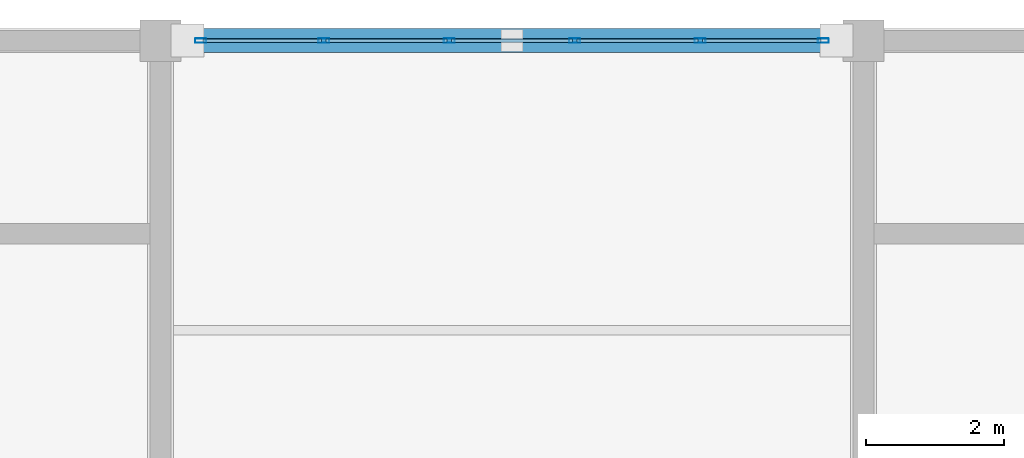
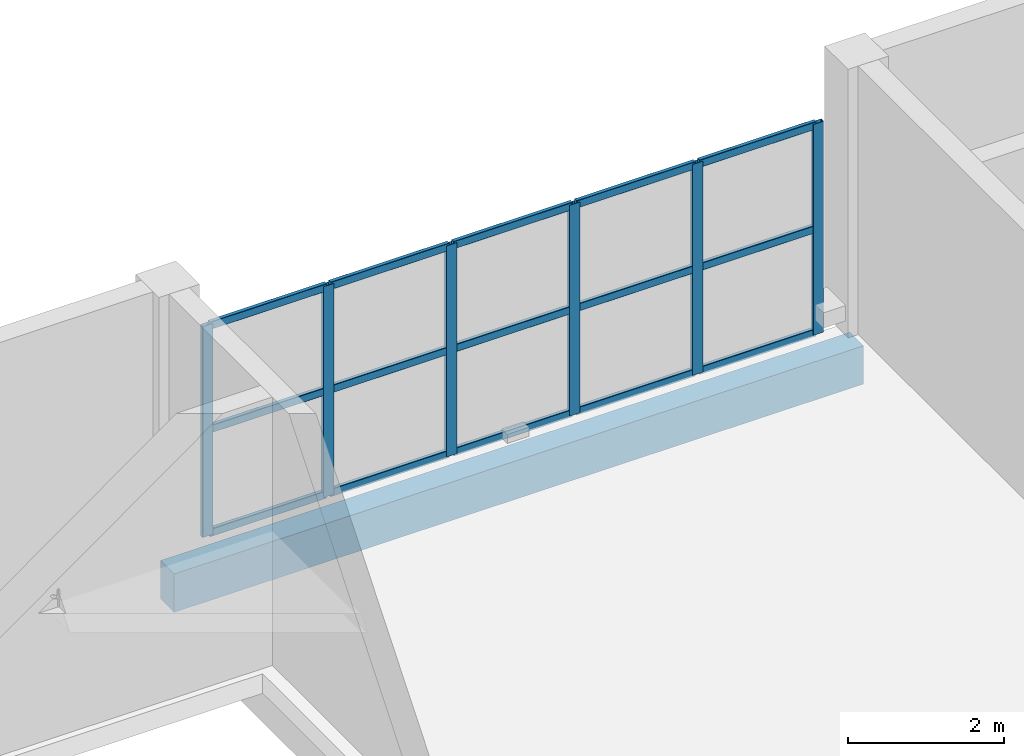
# One storey, part 11 of 24: 21 members, 1 beam, 1 element without a shape of its own.
"""IFC4 building model written with IfcOpenShell, lengths in metres."""

from ifc_helpers import new_model, si_unit, direction, frame, origin, origin_2d, place, context, subcontext, project, spatial, rectangle, hollow_rectangle, extrude, material, material_profile, profile_set, type_object, element, aggregate, save


model = new_model("IFC4")

# Units and contexts
model_context = context("Model", 3, precision=1e-05, world=origin(), true_north=direction((0.0, 1.0)))
body_context = subcontext(model_context, "Body", "Model", "MODEL_VIEW")
ifc_project = project(units=[si_unit("LENGTHUNIT", "METRE"), si_unit("AREAUNIT", "SQUARE_METRE"), si_unit("VOLUMEUNIT", "CUBIC_METRE"), si_unit("PLANEANGLEUNIT", "RADIAN"), si_unit("MASSUNIT", "GRAM", prefix="KILO")], contexts=[model_context])

# Site, building, storey
site_placement = place(None, origin())
site = spatial("IfcSite", under=ifc_project, at=site_placement, CompositionType="ELEMENT")
building_placement = place(site_placement, origin())
building = spatial("IfcBuilding", under=site, at=building_placement, Name="Brelvane Convention Centre", CompositionType="ELEMENT")
storey_placement = place(building_placement, frame((0.0, 0.0, 19.199951171875)))
storey = spatial("IfcBuildingStorey", under=building, at=storey_placement, Name="L04", CompositionType="ELEMENT", Elevation=19.199951171875)

# Curtain wall, members
ifc_material_1 = material(Name="Anodised Aluminium Alloy 6063-T6", Category="aluminium")
curtain_wall_type = type_object("IfcCurtainWallType", Name="Curtain Wall CW-BOUL", PredefinedType="USERDEFINED", material=ifc_material_1)
curtain_wall_placement = place(storey_placement, origin())
curtain_wall = element("IfcCurtainWall", 1, at=curtain_wall_placement, inside=storey, type_object=curtain_wall_type, Name="Curtain Wall CW-BOUL L04-V4N-02", ObjectType="UNITISED", PredefinedType="USERDEFINED")
ifc_material_2 = material(Name="Anodised Aluminium Alloy 6063-T6", Category="aluminium")
ifc_material_profile_1 = material_profile(ifc_material_2, hollow_rectangle(XDim=0.06494140625, YDim=0.159912109375, WallThickness=0.00390625, InnerFilletRadius=0.00390625, OuterFilletRadius=0.008056640625, at=origin_2d()), Name="ALU-M 160x65x4.0")
ifc_profile_set_1 = profile_set([ifc_material_profile_1], Name="Anodised Aluminium Alloy 6063-T6")
member_type_1 = type_object("IfcMemberType", Name="Curtain Mullion CW-M3", PredefinedType="MULLION", material=ifc_profile_set_1)
member_1_placement = place(storey_placement, frame((10.782470703125, 144.0, 0.0), z_axis=(0.0, 0.0, 1.0), x_axis=(0.0, 1.0, 0.0)))
member_1 = element("IfcMember", 2, at=member_1_placement, type_object=member_type_1, Name="CW-BOUL mullion 1", PredefinedType="MULLION", context=body_context, shape_type="SweptSolid", body=[
    extrude(hollow_rectangle(XDim=0.06494140625, YDim=0.159912109375, WallThickness=0.00390625, InnerFilletRadius=0.00390625, OuterFilletRadius=0.008056640625, at=origin_2d()), origin(), (0.0, 0.0, 1.0), 3.300048828125),
])
member_2_placement = place(storey_placement, frame((12.570068359375, 144.0, 0.0), z_axis=(0.0, 0.0, 1.0), x_axis=(0.0, 1.0, 0.0)))
member_2 = element("IfcMember", 3, at=member_2_placement, type_object=member_type_1, Name="CW-BOUL mullion 2", PredefinedType="MULLION", context=body_context, shape_type="SweptSolid", body=[
    extrude(hollow_rectangle(XDim=0.06494140625, YDim=0.159912109375, WallThickness=0.00390625, InnerFilletRadius=0.00390625, OuterFilletRadius=0.008056640625, at=origin_2d()), origin(), (0.0, 0.0, 1.0), 3.300048828125),
])
member_3_placement = place(storey_placement, frame((14.389892578125, 144.0, 0.0), z_axis=(0.0, 0.0, 1.0), x_axis=(0.0, 1.0, 0.0)))
member_3 = element("IfcMember", 4, at=member_3_placement, type_object=member_type_1, Name="CW-BOUL mullion 3", PredefinedType="MULLION", context=body_context, shape_type="SweptSolid", body=[
    extrude(hollow_rectangle(XDim=0.06494140625, YDim=0.159912109375, WallThickness=0.00390625, InnerFilletRadius=0.00390625, OuterFilletRadius=0.008056640625, at=origin_2d()), origin(), (0.0, 0.0, 1.0), 3.300048828125),
])
member_4_placement = place(storey_placement, frame((16.2099609375, 144.0, 0.0), z_axis=(0.0, 0.0, 1.0), x_axis=(0.0, 1.0, 0.0)))
member_4 = element("IfcMember", 5, at=member_4_placement, type_object=member_type_1, Name="CW-BOUL mullion 4", PredefinedType="MULLION", context=body_context, shape_type="SweptSolid", body=[
    extrude(hollow_rectangle(XDim=0.06494140625, YDim=0.159912109375, WallThickness=0.00390625, InnerFilletRadius=0.00390625, OuterFilletRadius=0.008056640625, at=origin_2d()), origin(), (0.0, 0.0, 1.0), 3.300048828125),
])
member_5_placement = place(storey_placement, frame((18.030029296875, 144.0, 0.0), z_axis=(0.0, 0.0, 1.0), x_axis=(0.0, 1.0, 0.0)))
member_5 = element("IfcMember", 6, at=member_5_placement, type_object=member_type_1, Name="CW-BOUL mullion 5", PredefinedType="MULLION", context=body_context, shape_type="SweptSolid", body=[
    extrude(hollow_rectangle(XDim=0.06494140625, YDim=0.159912109375, WallThickness=0.00390625, InnerFilletRadius=0.00390625, OuterFilletRadius=0.008056640625, at=origin_2d()), origin(), (0.0, 0.0, 1.0), 3.300048828125),
])
member_6_placement = place(storey_placement, frame((19.8173828125, 144.0, 0.0), z_axis=(0.0, 0.0, 1.0), x_axis=(0.0, 1.0, 0.0)))
member_6 = element("IfcMember", 7, at=member_6_placement, type_object=member_type_1, Name="CW-BOUL mullion 6", PredefinedType="MULLION", context=body_context, shape_type="SweptSolid", body=[
    extrude(hollow_rectangle(XDim=0.06494140625, YDim=0.159912109375, WallThickness=0.00390625, InnerFilletRadius=0.00390625, OuterFilletRadius=0.008056640625, at=origin_2d()), origin(), (0.0, 0.0, 1.0), 3.300048828125),
])
ifc_material_3 = material(Name="Anodised Aluminium Alloy 6063-T6", Category="aluminium")
ifc_material_profile_2 = material_profile(ifc_material_3, hollow_rectangle(XDim=0.06005859375, YDim=0.1201171875, WallThickness=0.00390625, InnerFilletRadius=0.00390625, OuterFilletRadius=0.008056640625, at=origin_2d()), Name="ALU-T 120x60x4.0")
ifc_profile_set_2 = profile_set([ifc_material_profile_2], Name="Anodised Aluminium Alloy 6063-T6")
member_type_2 = type_object("IfcMemberType", Name="Curtain Transom CW-T3", PredefinedType="USERDEFINED", material=ifc_profile_set_2)
member_7_placement = place(storey_placement, frame((10.81494140625, 144.0, 0.030029296875), z_axis=(1.0, 0.0, 0.0), x_axis=(0.0, 1.0, 0.0)))
member_7 = element("IfcMember", 8, at=member_7_placement, type_object=member_type_2, Name="CW-BOUL transom 1.1", ObjectType="TRANSOM", PredefinedType="USERDEFINED", context=body_context, shape_type="SweptSolid", body=[
    extrude(hollow_rectangle(XDim=0.06005859375, YDim=0.1201171875, WallThickness=0.00390625, InnerFilletRadius=0.00390625, OuterFilletRadius=0.008056640625, at=origin_2d()), origin(), (0.0, 0.0, 1.0), 1.72265625),
])
member_8_placement = place(storey_placement, frame((10.81494140625, 144.0, 1.650146484375), z_axis=(1.0, 0.0, 0.0), x_axis=(0.0, 1.0, 0.0)))
member_8 = element("IfcMember", 9, at=member_8_placement, type_object=member_type_2, Name="CW-BOUL transom 1.2", ObjectType="TRANSOM", PredefinedType="USERDEFINED", context=body_context, shape_type="SweptSolid", body=[
    extrude(hollow_rectangle(XDim=0.06005859375, YDim=0.1201171875, WallThickness=0.00390625, InnerFilletRadius=0.00390625, OuterFilletRadius=0.008056640625, at=origin_2d()), origin(), (0.0, 0.0, 1.0), 1.72265625),
])
member_9_placement = place(storey_placement, frame((10.81494140625, 144.0, 3.27001953125), z_axis=(1.0, 0.0, 0.0), x_axis=(0.0, 1.0, 0.0)))
member_9 = element("IfcMember", 10, at=member_9_placement, type_object=member_type_2, Name="CW-BOUL transom 1.3", ObjectType="TRANSOM", PredefinedType="USERDEFINED", context=body_context, shape_type="SweptSolid", body=[
    extrude(hollow_rectangle(XDim=0.06005859375, YDim=0.1201171875, WallThickness=0.00390625, InnerFilletRadius=0.00390625, OuterFilletRadius=0.008056640625, at=origin_2d()), origin(), (0.0, 0.0, 1.0), 1.72265625),
])
member_10_placement = place(storey_placement, frame((12.6025390625, 144.0, 0.030029296875), z_axis=(1.0, 0.0, 0.0), x_axis=(0.0, 1.0, 0.0)))
member_10 = element("IfcMember", 11, at=member_10_placement, type_object=member_type_2, Name="CW-BOUL transom 2.1", ObjectType="TRANSOM", PredefinedType="USERDEFINED", context=body_context, shape_type="SweptSolid", body=[
    extrude(hollow_rectangle(XDim=0.06005859375, YDim=0.1201171875, WallThickness=0.00390625, InnerFilletRadius=0.00390625, OuterFilletRadius=0.008056640625, at=origin_2d()), origin(), (0.0, 0.0, 1.0), 1.7548828125),
])
member_11_placement = place(storey_placement, frame((12.6025390625, 144.0, 1.650146484375), z_axis=(1.0, 0.0, 0.0), x_axis=(0.0, 1.0, 0.0)))
member_11 = element("IfcMember", 12, at=member_11_placement, type_object=member_type_2, Name="CW-BOUL transom 2.2", ObjectType="TRANSOM", PredefinedType="USERDEFINED", context=body_context, shape_type="SweptSolid", body=[
    extrude(hollow_rectangle(XDim=0.06005859375, YDim=0.1201171875, WallThickness=0.00390625, InnerFilletRadius=0.00390625, OuterFilletRadius=0.008056640625, at=origin_2d()), origin(), (0.0, 0.0, 1.0), 1.7548828125),
])
member_12_placement = place(storey_placement, frame((12.6025390625, 144.0, 3.27001953125), z_axis=(1.0, 0.0, 0.0), x_axis=(0.0, 1.0, 0.0)))
member_12 = element("IfcMember", 13, at=member_12_placement, type_object=member_type_2, Name="CW-BOUL transom 2.3", ObjectType="TRANSOM", PredefinedType="USERDEFINED", context=body_context, shape_type="SweptSolid", body=[
    extrude(hollow_rectangle(XDim=0.06005859375, YDim=0.1201171875, WallThickness=0.00390625, InnerFilletRadius=0.00390625, OuterFilletRadius=0.008056640625, at=origin_2d()), origin(), (0.0, 0.0, 1.0), 1.7548828125),
])
member_13_placement = place(storey_placement, frame((14.422607421875, 144.0, 0.030029296875), z_axis=(1.0, 0.0, 0.0), x_axis=(0.0, 1.0, 0.0)))
member_13 = element("IfcMember", 14, at=member_13_placement, type_object=member_type_2, Name="CW-BOUL transom 3.1", ObjectType="TRANSOM", PredefinedType="USERDEFINED", context=body_context, shape_type="SweptSolid", body=[
    extrude(hollow_rectangle(XDim=0.06005859375, YDim=0.1201171875, WallThickness=0.00390625, InnerFilletRadius=0.00390625, OuterFilletRadius=0.008056640625, at=origin_2d()), origin(), (0.0, 0.0, 1.0), 1.7548828125),
])
member_14_placement = place(storey_placement, frame((14.422607421875, 144.0, 1.650146484375), z_axis=(1.0, 0.0, 0.0), x_axis=(0.0, 1.0, 0.0)))
member_14 = element("IfcMember", 15, at=member_14_placement, type_object=member_type_2, Name="CW-BOUL transom 3.2", ObjectType="TRANSOM", PredefinedType="USERDEFINED", context=body_context, shape_type="SweptSolid", body=[
    extrude(hollow_rectangle(XDim=0.06005859375, YDim=0.1201171875, WallThickness=0.00390625, InnerFilletRadius=0.00390625, OuterFilletRadius=0.008056640625, at=origin_2d()), origin(), (0.0, 0.0, 1.0), 1.7548828125),
])
member_15_placement = place(storey_placement, frame((14.422607421875, 144.0, 3.27001953125), z_axis=(1.0, 0.0, 0.0), x_axis=(0.0, 1.0, 0.0)))
member_15 = element("IfcMember", 16, at=member_15_placement, type_object=member_type_2, Name="CW-BOUL transom 3.3", ObjectType="TRANSOM", PredefinedType="USERDEFINED", context=body_context, shape_type="SweptSolid", body=[
    extrude(hollow_rectangle(XDim=0.06005859375, YDim=0.1201171875, WallThickness=0.00390625, InnerFilletRadius=0.00390625, OuterFilletRadius=0.008056640625, at=origin_2d()), origin(), (0.0, 0.0, 1.0), 1.7548828125),
])
member_16_placement = place(storey_placement, frame((16.242431640625, 144.0, 0.030029296875), z_axis=(1.0, 0.0, 0.0), x_axis=(0.0, 1.0, 0.0)))
member_16 = element("IfcMember", 17, at=member_16_placement, type_object=member_type_2, Name="CW-BOUL transom 4.1", ObjectType="TRANSOM", PredefinedType="USERDEFINED", context=body_context, shape_type="SweptSolid", body=[
    extrude(hollow_rectangle(XDim=0.06005859375, YDim=0.1201171875, WallThickness=0.00390625, InnerFilletRadius=0.00390625, OuterFilletRadius=0.008056640625, at=origin_2d()), origin(), (0.0, 0.0, 1.0), 1.755126953125),
])
member_17_placement = place(storey_placement, frame((16.242431640625, 144.0, 1.650146484375), z_axis=(1.0, 0.0, 0.0), x_axis=(0.0, 1.0, 0.0)))
member_17 = element("IfcMember", 18, at=member_17_placement, type_object=member_type_2, Name="CW-BOUL transom 4.2", ObjectType="TRANSOM", PredefinedType="USERDEFINED", context=body_context, shape_type="SweptSolid", body=[
    extrude(hollow_rectangle(XDim=0.06005859375, YDim=0.1201171875, WallThickness=0.00390625, InnerFilletRadius=0.00390625, OuterFilletRadius=0.008056640625, at=origin_2d()), origin(), (0.0, 0.0, 1.0), 1.755126953125),
])
member_18_placement = place(storey_placement, frame((16.242431640625, 144.0, 3.27001953125), z_axis=(1.0, 0.0, 0.0), x_axis=(0.0, 1.0, 0.0)))
member_18 = element("IfcMember", 19, at=member_18_placement, type_object=member_type_2, Name="CW-BOUL transom 4.3", ObjectType="TRANSOM", PredefinedType="USERDEFINED", context=body_context, shape_type="SweptSolid", body=[
    extrude(hollow_rectangle(XDim=0.06005859375, YDim=0.1201171875, WallThickness=0.00390625, InnerFilletRadius=0.00390625, OuterFilletRadius=0.008056640625, at=origin_2d()), origin(), (0.0, 0.0, 1.0), 1.755126953125),
])
member_19_placement = place(storey_placement, frame((18.0625, 144.0, 0.030029296875), z_axis=(1.0, 0.0, 0.0), x_axis=(0.0, 1.0, 0.0)))
member_19 = element("IfcMember", 20, at=member_19_placement, type_object=member_type_2, Name="CW-BOUL transom 5.1", ObjectType="TRANSOM", PredefinedType="USERDEFINED", context=body_context, shape_type="SweptSolid", body=[
    extrude(hollow_rectangle(XDim=0.06005859375, YDim=0.1201171875, WallThickness=0.00390625, InnerFilletRadius=0.00390625, OuterFilletRadius=0.008056640625, at=origin_2d()), origin(), (0.0, 0.0, 1.0), 1.722412109375),
])
member_20_placement = place(storey_placement, frame((18.0625, 144.0, 1.650146484375), z_axis=(1.0, 0.0, 0.0), x_axis=(0.0, 1.0, 0.0)))
member_20 = element("IfcMember", 21, at=member_20_placement, type_object=member_type_2, Name="CW-BOUL transom 5.2", ObjectType="TRANSOM", PredefinedType="USERDEFINED", context=body_context, shape_type="SweptSolid", body=[
    extrude(hollow_rectangle(XDim=0.06005859375, YDim=0.1201171875, WallThickness=0.00390625, InnerFilletRadius=0.00390625, OuterFilletRadius=0.008056640625, at=origin_2d()), origin(), (0.0, 0.0, 1.0), 1.722412109375),
])
member_21_placement = place(storey_placement, frame((18.0625, 144.0, 3.27001953125), z_axis=(1.0, 0.0, 0.0), x_axis=(0.0, 1.0, 0.0)))
member_21 = element("IfcMember", 22, at=member_21_placement, type_object=member_type_2, Name="CW-BOUL transom 5.3", ObjectType="TRANSOM", PredefinedType="USERDEFINED", context=body_context, shape_type="SweptSolid", body=[
    extrude(hollow_rectangle(XDim=0.06005859375, YDim=0.1201171875, WallThickness=0.00390625, InnerFilletRadius=0.00390625, OuterFilletRadius=0.008056640625, at=origin_2d()), origin(), (0.0, 0.0, 1.0), 1.722412109375),
])
aggregate(curtain_wall, [member_1, member_2, member_3, member_4, member_5, member_6, member_7, member_8, member_9, member_10, member_11, member_12, member_13, member_14, member_15, member_16, member_17, member_18, member_19, member_20, member_21])

# Beam
ifc_material_4 = material(Name="Concrete M40", Category="concrete")
ifc_material_profile_3 = material_profile(ifc_material_4, rectangle(XDim=0.35009765625, YDim=0.60009765625, at=origin_2d()), Name="RC 350x600")
ifc_profile_set_3 = profile_set([ifc_material_profile_3], Name="Concrete M40")
beam_type = type_object("IfcBeamType", Name="RC Spandrel SP-RC2 (RC 350x600)", PredefinedType="SPANDREL", material=ifc_profile_set_3)
beam_placement = place(storey_placement, frame((10.199951171875, 144.0, -0.60498046875), z_axis=(1.0, 0.0, 0.0), x_axis=(0.0, 1.0, 0.0)))
element("IfcBeam", 23, at=beam_placement, inside=storey, type_object=beam_type, Name="L04 Beam 2-3/Q", PredefinedType="SPANDREL", context=body_context, shape_type="SweptSolid", body=[
    extrude(rectangle(XDim=0.35009765625, YDim=0.60009765625, at=origin_2d()), origin(), (0.0, 0.0, 1.0), 10.199951171875),
])

save(model, "model.ifc")
